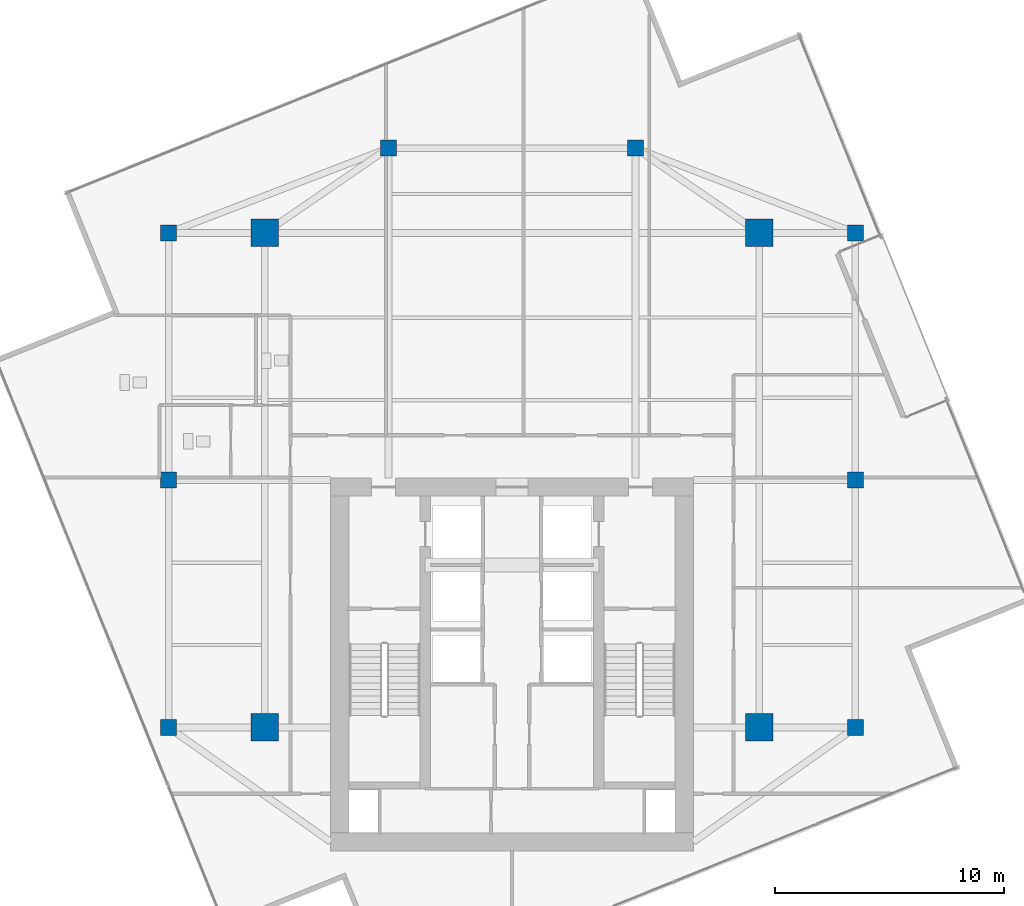
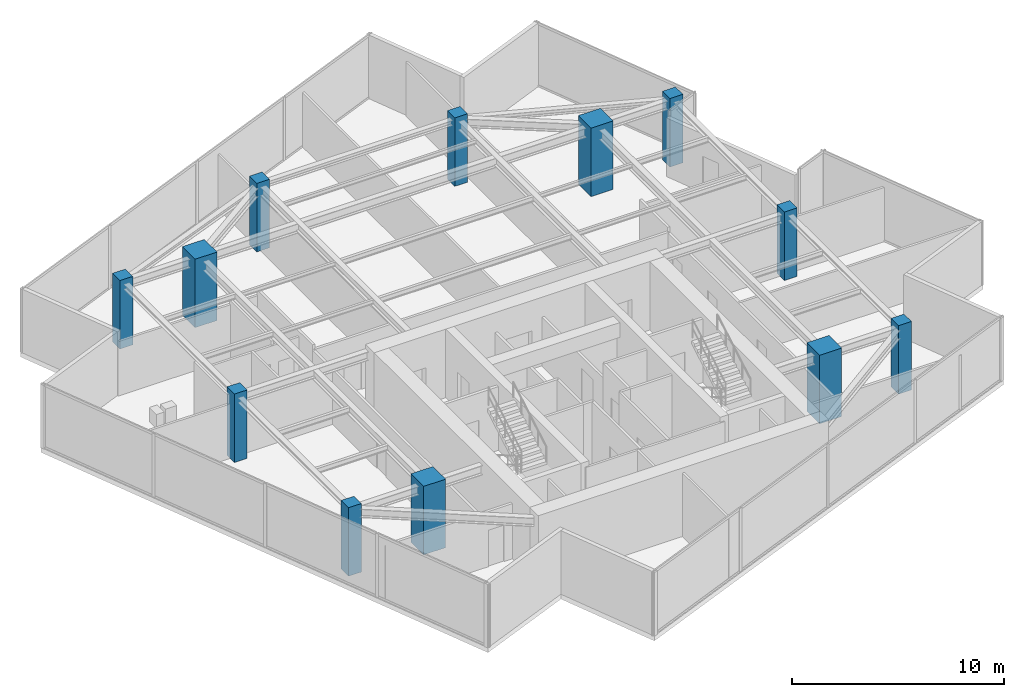
# One storey, part 1 of 21: 12 columns.
"""IFC4 building model written with IfcOpenShell, lengths in metres."""

from ifc_helpers import new_model, si_unit, direction, frame, origin, origin_2d, place, context, subcontext, project, spatial, rectangle, extrude, source, transform, mapped, material, material_profile, profile_set, type_object, type_shapes, element, save


model = new_model("IFC4")

# Units and contexts
model_context = context("Model", 3, precision=1e-05, world=origin(), true_north=direction((0.0, 1.0)))
body_context = subcontext(model_context, "Body", "Model", "MODEL_VIEW")
ifc_project = project(units=[si_unit("LENGTHUNIT", "METRE"), si_unit("AREAUNIT", "SQUARE_METRE"), si_unit("VOLUMEUNIT", "CUBIC_METRE"), si_unit("PLANEANGLEUNIT", "RADIAN"), si_unit("MASSUNIT", "GRAM", prefix="KILO")], contexts=[model_context])

# Site, building, storey
site_placement = place(None, origin())
site = spatial("IfcSite", under=ifc_project, at=site_placement, CompositionType="ELEMENT")
building_placement = place(site_placement, origin())
building = spatial("IfcBuilding", under=site, at=building_placement, Name="Krantzveldt Concourse Tower", CompositionType="ELEMENT")
storey_placement = place(building_placement, frame((0.0, 0.0, 323.75)))
storey = spatial("IfcBuildingStorey", under=building, at=storey_placement, Name="L79", CompositionType="ELEMENT", Elevation=323.75)

# Columns
ifc_material = material(Name="Concrete C50/60", Category="concrete")
ifc_material_profile_1 = material_profile(ifc_material, rectangle(XDim=1.199951171875, YDim=1.199951171875, at=origin_2d()), Name="Concrete C50/60", Category="concrete")
ifc_profile_set_1 = profile_set([ifc_material_profile_1], Name="Concrete C50/60 - RC 1200x1200")
column_type_1 = type_object("IfcColumnType", Name="COL-MC-1200", PredefinedType="USERDEFINED", material=ifc_profile_set_1)
shared_shape_1 = source(origin(), body_context, "Body", "SweptSolid", [
    extrude(rectangle(XDim=1.199951171875, YDim=1.199951171875, at=origin_2d()), origin(), (0.0, 0.0, 1.0), 3.949951171875),
])
type_shapes(column_type_1, [shared_shape_1])
for number, where, z_axis, x_axis, name in (
    (1, (25.199951171875, 15.89990234375, 0.0), (0.0, 0.0, 1.0), (1.0, 0.0, 0.0), "MC-SW-L79"),
    (2, (46.800048828125, 15.89990234375, 0.0), (0.0, 0.0, 1.0), (1.0, 0.0, 0.0), "MC-SE-L79"),
    (3, (46.800048828125, 37.5, 0.0), (0.0, 0.0, 1.0), (1.0, 0.0, 0.0), "MC-NE-L79"),
    (4, (25.199951171875, 37.5, 0.0), (0.0, 0.0, 1.0), (1.0, 0.0, 0.0), "MC-NW-L79"),
):
    element("IfcColumn", number, at=place(storey_placement, frame(where, z_axis=z_axis, x_axis=x_axis)), inside=storey, type_object=column_type_1, Name=name, ObjectType="MEGA COLUMN", PredefinedType="USERDEFINED", context=body_context, shape_type="MappedRepresentation", body=[
        mapped(shared_shape_1, transform((0.0, 0.0, 0.0), x_axis=(1.0, 0.0, 0.0), y_axis=(0.0, 1.0, 0.0), z_axis=(0.0, 0.0, 1.0), scale=1.0)),
    ])
ifc_material_profile_2 = material_profile(ifc_material, rectangle(XDim=0.699951171875, YDim=0.699951171875, at=origin_2d()), Name="Concrete C50/60", Category="concrete")
ifc_profile_set_2 = profile_set([ifc_material_profile_2], Name="Concrete C50/60 - RC 700x700")
column_type_2 = type_object("IfcColumnType", Name="COL-C-Z6", PredefinedType="COLUMN", material=ifc_profile_set_2)
shared_shape_2 = source(origin(), body_context, "Body", "SweptSolid", [
    extrude(rectangle(XDim=0.699951171875, YDim=0.699951171875, at=origin_2d()), origin(), (0.0, 0.0, 1.0), 3.949951171875),
])
type_shapes(column_type_2, [shared_shape_2])
for number, where, z_axis, x_axis, name in (
    (5, (21.0, 15.89990234375, 0.0), (0.0, 0.0, 1.0), (1.0, 0.0, 0.0), "PC-R01-L79"),
    (6, (21.0, 26.699951171875, 0.0), (0.0, 0.0, 1.0), (1.0, 0.0, 0.0), "PC-R02-L79"),
    (7, (21.0, 37.5, 0.0), (0.0, 0.0, 1.0), (1.0, 0.0, 0.0), "PC-R03-L79"),
    (8, (30.60009765625, 41.199951171875, 0.0), (0.0, 0.0, 1.0), (1.0, 0.0, 0.0), "PC-R04-L79"),
    (9, (41.39990234375, 41.199951171875, 0.0), (0.0, 0.0, 1.0), (1.0, 0.0, 0.0), "PC-R05-L79"),
    (10, (51.0, 37.5, 0.0), (0.0, 0.0, 1.0), (1.0, 0.0, 0.0), "PC-R06-L79"),
    (11, (51.0, 26.699951171875, 0.0), (0.0, 0.0, 1.0), (1.0, 0.0, 0.0), "PC-R07-L79"),
    (12, (51.0, 15.89990234375, 0.0), (0.0, 0.0, 1.0), (1.0, 0.0, 0.0), "PC-R08-L79"),
):
    element("IfcColumn", number, at=place(storey_placement, frame(where, z_axis=z_axis, x_axis=x_axis)), inside=storey, type_object=column_type_2, Name=name, PredefinedType="COLUMN", context=body_context, shape_type="MappedRepresentation", body=[
        mapped(shared_shape_2, transform((0.0, 0.0, 0.0), x_axis=(1.0, 0.0, 0.0), y_axis=(0.0, 1.0, 0.0), z_axis=(0.0, 0.0, 1.0), scale=1.0)),
    ])

save(model, "model.ifc")
